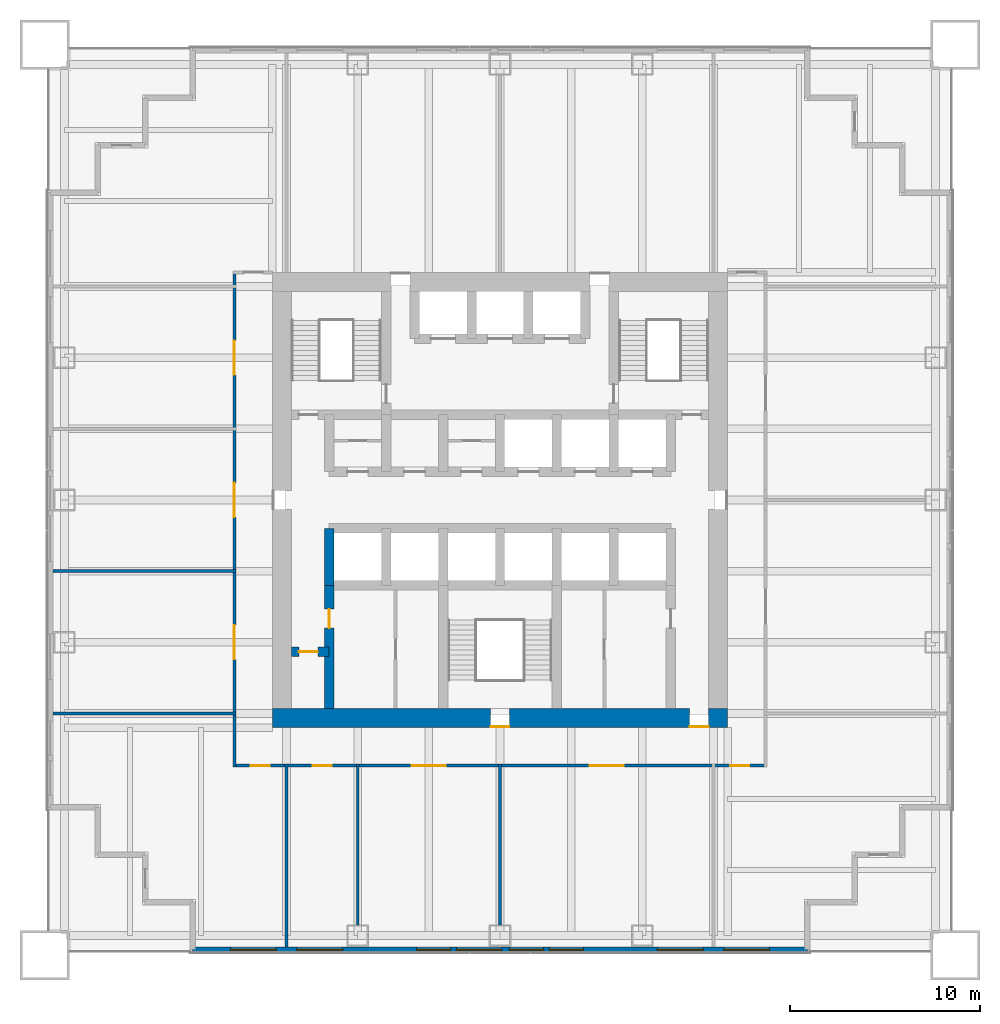
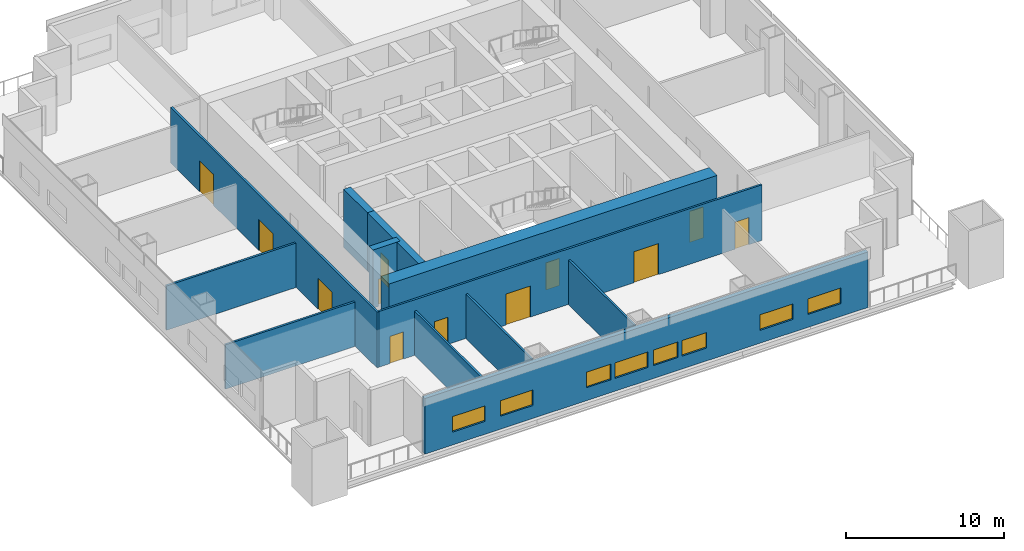
# One storey, part 2 of 7: 12 doors, 12 walls, 8 windows, 20 openings.
"""IFC4 building model written with IfcOpenShell, lengths in metres."""

from ifc_helpers import new_model, si_unit, direction, frame, frame_2d, origin, place, context, subcontext, project, spatial, rectangle, extrude, material, layer, layer_set, type_object, element, fill, save


model = new_model("IFC4")

# Units and contexts
model_context = context("Model", 3, precision=1e-05, world=origin(), true_north=direction((0.0, 1.0)))
body_context = subcontext(model_context, "Body", "Model", "MODEL_VIEW")
ifc_project = project(units=[si_unit("LENGTHUNIT", "METRE"), si_unit("AREAUNIT", "SQUARE_METRE"), si_unit("VOLUMEUNIT", "CUBIC_METRE"), si_unit("PLANEANGLEUNIT", "RADIAN"), si_unit("MASSUNIT", "GRAM", prefix="KILO")], contexts=[model_context])

# Site, building, storey
site_placement = place(None, origin())
site = spatial("IfcSite", under=ifc_project, at=site_placement, CompositionType="ELEMENT")
building_placement = place(site_placement, origin())
building = spatial("IfcBuilding", under=site, at=building_placement, Name="Tarangal Relay Tower", CompositionType="ELEMENT")
storey_placement = place(building_placement, frame((0.0, 0.0, 149.39990234375)))
storey = spatial("IfcBuildingStorey", under=building, at=storey_placement, Name="L30", CompositionType="ELEMENT", Elevation=149.39990234375)

# Wall, opening, door
ifc_material_1 = material(Name="Concrete fc' 60 MPa", Category="concrete")
ifc_layer_1 = layer(ifc_material_1, 0.5)
ifc_layer_set_1 = layer_set([ifc_layer_1], Name="Core inner wall 500")
wall_type_1 = type_object("IfcWallType", Name="Core inner wall 500", PredefinedType="SHEAR", material=ifc_layer_set_1)
wall_1_placement = place(storey_placement, frame((-11.0, -8.0, 0.0), z_axis=(0.0, 0.0, 1.0), x_axis=(1.0, 0.0, 0.0)))
wall_1 = element("IfcWall", 1, at=wall_1_placement, inside=storey, type_object=wall_type_1, Name="Core wall YM8 L30", PredefinedType="SHEAR", context=body_context, shape_type="SweptSolid", body=[
    extrude(rectangle(XDim=2.0, YDim=0.5, at=frame_2d((1.0, 0.0))), origin(), (0.0, 0.0, 1.0), 4.5),
])
opening_1_placement = place(wall_1_placement, frame((0.39990234375, 0.0, 0.0)))
opening_1 = element("IfcOpeningElement", 2, at=opening_1_placement, cuts=wall_1, Name="Opening D1", PredefinedType="OPENING", context=body_context, shape_type="SweptSolid", body=[
    extrude(rectangle(XDim=1.0, YDim=2.10009765625, at=frame_2d((0.5, 1.050048828125))), frame((0.0, 0.260009765625, 0.0), z_axis=(0.0, -1.0, 0.0), x_axis=(1.0, 0.0, 0.0)), (0.0, 0.0, 1.0), 0.52001953125),
])
ifc_material_2 = material(Name="Hardwood door", Category="wood")
door_type_1 = type_object("IfcDoorType", Name="WC door 1000 x 2100", OperationType="SINGLE_SWING_LEFT", PredefinedType="DOOR", material=ifc_material_2)
door_1_placement = place(opening_1_placement, origin())
door_1 = element("IfcDoor", 3, at=door_1_placement, inside=storey, type_object=door_type_1, Name="Accessible WC door L30", OperationType="SINGLE_SWING_LEFT", OverallHeight=2.10009765625, OverallWidth=1.0, PredefinedType="DOOR", context=body_context, shape_type="SweptSolid", body=[
    extrude(rectangle(XDim=1.0, YDim=2.10009765625, at=frame_2d((0.5, 1.050048828125))), frame((0.0, 0.02490234375, 0.0), z_axis=(0.0, -1.0, 0.0), x_axis=(1.0, 0.0, 0.0)), (0.0, 0.0, 1.0), 0.050048828125),
])
fill(opening_1, door_1)

# Wall
wall_2_placement = place(storey_placement, frame((-9.0, -4.5, 0.0), z_axis=(0.0, 0.0, 1.0), x_axis=(0.0, 1.0, 0.0)))
element("IfcWall", 4, at=wall_2_placement, inside=storey, type_object=wall_type_1, Name="Core wall XM9S L30", PredefinedType="SHEAR", context=body_context, shape_type="SweptSolid", body=[
    extrude(rectangle(XDim=3.0, YDim=0.5, at=frame_2d((1.5, 0.0))), origin(), (0.0, 0.0, 1.0), 4.5),
])

# Wall, opening, door
wall_3_placement = place(storey_placement, frame((-9.0, -11.0, 0.0), z_axis=(0.0, 0.0, 1.0), x_axis=(0.0, 1.0, 0.0)))
wall_3 = element("IfcWall", 5, at=wall_3_placement, inside=storey, type_object=wall_type_1, Name="Core wall XM9W L30", PredefinedType="SHEAR", context=body_context, shape_type="SweptSolid", body=[
    extrude(rectangle(XDim=6.5, YDim=0.5, at=frame_2d((3.25, 0.0))), origin(), (0.0, 0.0, 1.0), 4.5),
])
opening_2_placement = place(wall_3_placement, frame((4.25, 0.0, 0.0)))
opening_2 = element("IfcOpeningElement", 6, at=opening_2_placement, cuts=wall_3, Name="Opening D1", PredefinedType="OPENING", context=body_context, shape_type="SweptSolid", body=[
    extrude(rectangle(XDim=1.0, YDim=2.10009765625, at=frame_2d((0.5, 1.050048828125))), frame((0.0, 0.260009765625, 0.0), z_axis=(0.0, -1.0, 0.0), x_axis=(1.0, 0.0, 0.0)), (0.0, 0.0, 1.0), 0.52001953125),
])
door_2_placement = place(opening_2_placement, origin())
door_2 = element("IfcDoor", 7, at=door_2_placement, inside=storey, type_object=door_type_1, Name="Male WC door L30", OperationType="SINGLE_SWING_LEFT", OverallHeight=2.10009765625, OverallWidth=1.0, PredefinedType="DOOR", context=body_context, shape_type="SweptSolid", body=[
    extrude(rectangle(XDim=1.0, YDim=2.10009765625, at=frame_2d((0.5, 1.050048828125))), frame((0.0, 0.02490234375, 0.0), z_axis=(0.0, -1.0, 0.0), x_axis=(1.0, 0.0, 0.0)), (0.0, 0.0, 1.0), 0.050048828125),
])
fill(opening_2, door_2)

# Wall, openings, doors
ifc_layer_2 = layer(ifc_material_1, 1.0)
ifc_layer_set_2 = layer_set([ifc_layer_2], Name="Core wall 1000")
wall_type_2 = type_object("IfcWallType", Name="Core wall 1000", PredefinedType="SHEAR", material=ifc_layer_set_2)
wall_4_placement = place(storey_placement, frame((12.0, -11.5, 0.0), z_axis=(0.0, 0.0, 1.0), x_axis=(-1.0, 0.0, 0.0)))
wall_4 = element("IfcWall", 8, at=wall_4_placement, inside=storey, type_object=wall_type_2, Name="Core wall S L30", PredefinedType="SHEAR", context=body_context, shape_type="SweptSolid", body=[
    extrude(rectangle(XDim=24.0, YDim=1.0, at=frame_2d((12.0, 0.0))), origin(), (0.0, 0.0, 1.0), 4.5),
])
opening_3_placement = place(wall_4_placement, frame((11.5, 0.0, 0.0)))
opening_3 = element("IfcOpeningElement", 9, at=opening_3_placement, cuts=wall_4, Name="Opening FD1", PredefinedType="OPENING", context=body_context, shape_type="SweptSolid", body=[
    extrude(rectangle(XDim=1.0, YDim=2.10009765625, at=frame_2d((0.5, 1.050048828125))), frame((0.0, 0.510009765625, 0.0), z_axis=(0.0, -1.0, 0.0), x_axis=(1.0, 0.0, 0.0)), (0.0, 0.0, 1.0), 1.02001953125),
])
opening_4_placement = place(wall_4_placement, frame((1.0, 0.0, 0.0)))
opening_4 = element("IfcOpeningElement", 10, at=opening_4_placement, cuts=wall_4, Name="Opening FD3", PredefinedType="OPENING", context=body_context, shape_type="SweptSolid", body=[
    extrude(rectangle(XDim=1.0, YDim=2.39990234375, at=frame_2d((0.5, 1.199951171875))), frame((0.0, 0.510009765625, 0.0), z_axis=(0.0, -1.0, 0.0), x_axis=(1.0, 0.0, 0.0)), (0.0, 0.0, 1.0), 1.02001953125),
])
ifc_material_3 = material(Name="Steel door with hardwood frame", Category="steel")
door_type_2 = type_object("IfcDoorType", Name="Fire door 1000 x 2100", OperationType="SINGLE_SWING_LEFT", PredefinedType="DOOR", material=ifc_material_3)
door_3_placement = place(opening_3_placement, origin())
door_3 = element("IfcDoor", 11, at=door_3_placement, inside=storey, type_object=door_type_2, Name="Stair ST-C door L30", OperationType="SINGLE_SWING_LEFT", OverallHeight=2.10009765625, OverallWidth=1.0, PredefinedType="DOOR", context=body_context, shape_type="SweptSolid", body=[
    extrude(rectangle(XDim=1.0, YDim=2.10009765625, at=frame_2d((0.5, 1.050048828125))), frame((0.0, 0.48486328125, 0.0), z_axis=(0.0, -1.0, 0.0), x_axis=(1.0, 0.0, 0.0)), (0.0, 0.0, 1.0), 0.050048828125),
])
fill(opening_3, door_3)
door_type_3 = type_object("IfcDoorType", Name="Fire door 1000 x 2400 core entry", OperationType="SINGLE_SWING_RIGHT", PredefinedType="DOOR", material=ifc_material_3)
door_4_placement = place(opening_4_placement, origin())
door_4 = element("IfcDoor", 12, at=door_4_placement, inside=storey, type_object=door_type_3, Name="Core entry door south east L30", OperationType="SINGLE_SWING_RIGHT", OverallHeight=2.39990234375, OverallWidth=1.0, PredefinedType="DOOR", context=body_context, shape_type="SweptSolid", body=[
    extrude(rectangle(XDim=1.0, YDim=2.39990234375, at=frame_2d((0.5, 1.199951171875))), frame((0.0, 0.48486328125, 0.0), z_axis=(0.0, -1.0, 0.0), x_axis=(1.0, 0.0, 0.0)), (0.0, 0.0, 1.0), 0.050048828125),
])
fill(opening_4, door_4)

# Wall, openings, windows
ifc_material_4 = material(Name="Insulated precast concrete fc' 40 MPa", Category="concrete")
ifc_layer_3 = layer(ifc_material_4, 0.300048828125)
ifc_layer_set_3 = layer_set([ifc_layer_3], Name="Insulated precast concrete fc' 40 MPa")
wall_type_3 = type_object("IfcWallType", Name="Facade wall precast 300", PredefinedType="SOLIDWALL", material=ifc_layer_set_3)
wall_5_placement = place(storey_placement, frame((16.199951171875, -23.699951171875, 0.0), z_axis=(0.0, 0.0, 1.0), x_axis=(-1.0, 0.0, 0.0)))
wall_5 = element("IfcWall", 13, at=wall_5_placement, inside=storey, type_object=wall_type_3, Name="Facade wall S facade L30", PredefinedType="SOLIDWALL", context=body_context, shape_type="SweptSolid", body=[
    extrude(rectangle(XDim=32.39990234375, YDim=0.300048828125, at=frame_2d((16.199951171875, 0.0))), origin(), (0.0, 0.0, 1.0), 4.300048828125),
])
opening_5_placement = place(wall_5_placement, frame((2.0, 0.0, 1.0)))
opening_5 = element("IfcOpeningElement", 14, at=opening_5_placement, cuts=wall_5, Name="Opening WN1", PredefinedType="OPENING", context=body_context, shape_type="SweptSolid", body=[
    extrude(rectangle(XDim=2.39990234375, YDim=1.199951171875, at=frame_2d((1.199951171875, 0.60009765625))), frame((0.0, 0.159912109375, 0.0), z_axis=(0.0, -1.0, 0.0), x_axis=(1.0, 0.0, 0.0)), (0.0, 0.0, 1.0), 0.320068359375),
])
opening_6_placement = place(wall_5_placement, frame((5.5, 0.0, 1.0)))
opening_6 = element("IfcOpeningElement", 15, at=opening_6_placement, cuts=wall_5, Name="Opening WN1", PredefinedType="OPENING", context=body_context, shape_type="SweptSolid", body=[
    extrude(rectangle(XDim=2.39990234375, YDim=1.199951171875, at=frame_2d((1.199951171875, 0.60009765625))), frame((0.0, 0.159912109375, 0.0), z_axis=(0.0, -1.0, 0.0), x_axis=(1.0, 0.0, 0.0)), (0.0, 0.0, 1.0), 0.320068359375),
])
opening_7_placement = place(wall_5_placement, frame((11.800048828125, 0.0, 1.0)))
opening_7 = element("IfcOpeningElement", 16, at=opening_7_placement, cuts=wall_5, Name="Opening WN5", PredefinedType="OPENING", context=body_context, shape_type="SweptSolid", body=[
    extrude(rectangle(XDim=1.800048828125, YDim=1.199951171875, at=frame_2d((0.89990234375, 0.60009765625))), frame((0.0, 0.159912109375, 0.0), z_axis=(0.0, -1.0, 0.0), x_axis=(1.0, 0.0, 0.0)), (0.0, 0.0, 1.0), 0.320068359375),
])
opening_8_placement = place(wall_5_placement, frame((13.89990234375, 0.0, 1.0)))
opening_8 = element("IfcOpeningElement", 17, at=opening_8_placement, cuts=wall_5, Name="Opening WN5", PredefinedType="OPENING", context=body_context, shape_type="SweptSolid", body=[
    extrude(rectangle(XDim=1.800048828125, YDim=1.199951171875, at=frame_2d((0.89990234375, 0.60009765625))), frame((0.0, 0.159912109375, 0.0), z_axis=(0.0, -1.0, 0.0), x_axis=(1.0, 0.0, 0.0)), (0.0, 0.0, 1.0), 0.320068359375),
])
opening_9_placement = place(wall_5_placement, frame((16.10009765625, 0.0, 1.0)))
opening_9 = element("IfcOpeningElement", 18, at=opening_9_placement, cuts=wall_5, Name="Opening WN1", PredefinedType="OPENING", context=body_context, shape_type="SweptSolid", body=[
    extrude(rectangle(XDim=2.39990234375, YDim=1.199951171875, at=frame_2d((1.199951171875, 0.60009765625))), frame((0.0, 0.159912109375, 0.0), z_axis=(0.0, -1.0, 0.0), x_axis=(1.0, 0.0, 0.0)), (0.0, 0.0, 1.0), 0.320068359375),
])
opening_10_placement = place(wall_5_placement, frame((18.800048828125, 0.0, 1.0)))
opening_10 = element("IfcOpeningElement", 19, at=opening_10_placement, cuts=wall_5, Name="Opening WN5", PredefinedType="OPENING", context=body_context, shape_type="SweptSolid", body=[
    extrude(rectangle(XDim=1.800048828125, YDim=1.199951171875, at=frame_2d((0.89990234375, 0.60009765625))), frame((0.0, 0.159912109375, 0.0), z_axis=(0.0, -1.0, 0.0), x_axis=(1.0, 0.0, 0.0)), (0.0, 0.0, 1.0), 0.320068359375),
])
opening_11_placement = place(wall_5_placement, frame((24.5, 0.0, 1.0)))
opening_11 = element("IfcOpeningElement", 20, at=opening_11_placement, cuts=wall_5, Name="Opening WN1", PredefinedType="OPENING", context=body_context, shape_type="SweptSolid", body=[
    extrude(rectangle(XDim=2.39990234375, YDim=1.199951171875, at=frame_2d((1.199951171875, 0.60009765625))), frame((0.0, 0.159912109375, 0.0), z_axis=(0.0, -1.0, 0.0), x_axis=(1.0, 0.0, 0.0)), (0.0, 0.0, 1.0), 0.320068359375),
])
opening_12_placement = place(wall_5_placement, frame((28.0, 0.0, 1.0)))
opening_12 = element("IfcOpeningElement", 21, at=opening_12_placement, cuts=wall_5, Name="Opening WN1", PredefinedType="OPENING", context=body_context, shape_type="SweptSolid", body=[
    extrude(rectangle(XDim=2.39990234375, YDim=1.199951171875, at=frame_2d((1.199951171875, 0.60009765625))), frame((0.0, 0.159912109375, 0.0), z_axis=(0.0, -1.0, 0.0), x_axis=(1.0, 0.0, 0.0)), (0.0, 0.0, 1.0), 0.320068359375),
])
ifc_material_5 = material(Name="Dark tinted double glazing in black aluminium frame", Category="aluminium")
window_type_1 = type_object("IfcWindowType", Name="Ribbon window 1800 x 1200", PartitioningType="SINGLE_PANEL", PredefinedType="WINDOW", material=ifc_material_5)
window_1_placement = place(opening_7_placement, origin())
window_1 = element("IfcWindow", 22, at=window_1_placement, inside=storey, type_object=window_type_1, Name="Ribbon window WN5 S facade L30", OverallHeight=1.199951171875, OverallWidth=1.800048828125, PartitioningType="SINGLE_PANEL", PredefinedType="WINDOW", context=body_context, shape_type="SweptSolid", body=[
    extrude(rectangle(XDim=1.800048828125, YDim=1.199951171875, at=frame_2d((0.89990234375, 0.60009765625))), frame((0.0, 0.030029296875, 0.0), z_axis=(0.0, -1.0, 0.0), x_axis=(1.0, 0.0, 0.0)), (0.0, 0.0, 1.0), 0.06005859375),
])
fill(opening_7, window_1)
window_2_placement = place(opening_8_placement, origin())
window_2 = element("IfcWindow", 23, at=window_2_placement, inside=storey, type_object=window_type_1, Name="Ribbon window WN5 S facade L30", OverallHeight=1.199951171875, OverallWidth=1.800048828125, PartitioningType="SINGLE_PANEL", PredefinedType="WINDOW", context=body_context, shape_type="SweptSolid", body=[
    extrude(rectangle(XDim=1.800048828125, YDim=1.199951171875, at=frame_2d((0.89990234375, 0.60009765625))), frame((0.0, 0.030029296875, 0.0), z_axis=(0.0, -1.0, 0.0), x_axis=(1.0, 0.0, 0.0)), (0.0, 0.0, 1.0), 0.06005859375),
])
fill(opening_8, window_2)
window_3_placement = place(opening_10_placement, origin())
window_3 = element("IfcWindow", 24, at=window_3_placement, inside=storey, type_object=window_type_1, Name="Ribbon window WN5 S facade L30", OverallHeight=1.199951171875, OverallWidth=1.800048828125, PartitioningType="SINGLE_PANEL", PredefinedType="WINDOW", context=body_context, shape_type="SweptSolid", body=[
    extrude(rectangle(XDim=1.800048828125, YDim=1.199951171875, at=frame_2d((0.89990234375, 0.60009765625))), frame((0.0, 0.030029296875, 0.0), z_axis=(0.0, -1.0, 0.0), x_axis=(1.0, 0.0, 0.0)), (0.0, 0.0, 1.0), 0.06005859375),
])
fill(opening_10, window_3)
window_type_2 = type_object("IfcWindowType", Name="Ribbon window 2400 x 1200", PartitioningType="SINGLE_PANEL", PredefinedType="WINDOW", material=ifc_material_5)
window_4_placement = place(opening_5_placement, origin())
window_4 = element("IfcWindow", 25, at=window_4_placement, inside=storey, type_object=window_type_2, Name="Ribbon window WN1 S facade L30", OverallHeight=1.199951171875, OverallWidth=2.39990234375, PartitioningType="SINGLE_PANEL", PredefinedType="WINDOW", context=body_context, shape_type="SweptSolid", body=[
    extrude(rectangle(XDim=2.39990234375, YDim=1.199951171875, at=frame_2d((1.199951171875, 0.60009765625))), frame((0.0, 0.030029296875, 0.0), z_axis=(0.0, -1.0, 0.0), x_axis=(1.0, 0.0, 0.0)), (0.0, 0.0, 1.0), 0.06005859375),
])
fill(opening_5, window_4)
window_5_placement = place(opening_6_placement, origin())
window_5 = element("IfcWindow", 26, at=window_5_placement, inside=storey, type_object=window_type_2, Name="Ribbon window WN1 S facade L30", OverallHeight=1.199951171875, OverallWidth=2.39990234375, PartitioningType="SINGLE_PANEL", PredefinedType="WINDOW", context=body_context, shape_type="SweptSolid", body=[
    extrude(rectangle(XDim=2.39990234375, YDim=1.199951171875, at=frame_2d((1.199951171875, 0.60009765625))), frame((0.0, 0.030029296875, 0.0), z_axis=(0.0, -1.0, 0.0), x_axis=(1.0, 0.0, 0.0)), (0.0, 0.0, 1.0), 0.06005859375),
])
fill(opening_6, window_5)
window_6_placement = place(opening_9_placement, origin())
window_6 = element("IfcWindow", 27, at=window_6_placement, inside=storey, type_object=window_type_2, Name="Ribbon window WN1 S facade L30", OverallHeight=1.199951171875, OverallWidth=2.39990234375, PartitioningType="SINGLE_PANEL", PredefinedType="WINDOW", context=body_context, shape_type="SweptSolid", body=[
    extrude(rectangle(XDim=2.39990234375, YDim=1.199951171875, at=frame_2d((1.199951171875, 0.60009765625))), frame((0.0, 0.030029296875, 0.0), z_axis=(0.0, -1.0, 0.0), x_axis=(1.0, 0.0, 0.0)), (0.0, 0.0, 1.0), 0.06005859375),
])
fill(opening_9, window_6)
window_7_placement = place(opening_11_placement, origin())
window_7 = element("IfcWindow", 28, at=window_7_placement, inside=storey, type_object=window_type_2, Name="Ribbon window WN1 S facade L30", OverallHeight=1.199951171875, OverallWidth=2.39990234375, PartitioningType="SINGLE_PANEL", PredefinedType="WINDOW", context=body_context, shape_type="SweptSolid", body=[
    extrude(rectangle(XDim=2.39990234375, YDim=1.199951171875, at=frame_2d((1.199951171875, 0.60009765625))), frame((0.0, 0.030029296875, 0.0), z_axis=(0.0, -1.0, 0.0), x_axis=(1.0, 0.0, 0.0)), (0.0, 0.0, 1.0), 0.06005859375),
])
fill(opening_11, window_7)
window_8_placement = place(opening_12_placement, origin())
window_8 = element("IfcWindow", 29, at=window_8_placement, inside=storey, type_object=window_type_2, Name="Ribbon window WN1 S facade L30", OverallHeight=1.199951171875, OverallWidth=2.39990234375, PartitioningType="SINGLE_PANEL", PredefinedType="WINDOW", context=body_context, shape_type="SweptSolid", body=[
    extrude(rectangle(XDim=2.39990234375, YDim=1.199951171875, at=frame_2d((1.199951171875, 0.60009765625))), frame((0.0, 0.030029296875, 0.0), z_axis=(0.0, -1.0, 0.0), x_axis=(1.0, 0.0, 0.0)), (0.0, 0.0, 1.0), 0.06005859375),
])
fill(opening_12, window_8)

# Wall, openings, doors
ifc_material_6 = material(Name="Gypsum board on steel studs", Category="steel")
ifc_layer_4 = layer(ifc_material_6, 0.14990234375)
ifc_layer_set_4 = layer_set([ifc_layer_4], Name="Partition 150")
wall_type_4 = type_object("IfcWallType", Name="Partition 150", PredefinedType="PARTITIONING", material=ifc_layer_set_4)
wall_6_placement = place(storey_placement, frame((-14.074951171875, -14.0, 0.0), z_axis=(0.0, 0.0, 1.0), x_axis=(1.0, 0.0, 0.0)))
wall_6 = element("IfcWall", 30, at=wall_6_placement, inside=storey, type_object=wall_type_4, Name="Partition PT1 L30", PredefinedType="PARTITIONING", context=body_context, shape_type="SweptSolid", body=[
    extrude(rectangle(XDim=28.14990234375, YDim=0.14990234375, at=frame_2d((14.074951171875, 0.0))), origin(), (0.0, 0.0, 1.0), 4.300048828125),
])
opening_13_placement = place(wall_6_placement, frame((18.800048828125, 0.0, 0.0)))
opening_13 = element("IfcOpeningElement", 31, at=opening_13_placement, cuts=wall_6, Name="Opening DD1", PredefinedType="OPENING", context=body_context, shape_type="SweptSolid", body=[
    extrude(rectangle(XDim=1.800048828125, YDim=2.39990234375, at=frame_2d((0.89990234375, 1.199951171875))), frame((0.0, 0.0849609375, 0.0), z_axis=(0.0, -1.0, 0.0), x_axis=(1.0, 0.0, 0.0)), (0.0, 0.0, 1.0), 0.169921875),
])
opening_14_placement = place(wall_6_placement, frame((9.425048828125, 0.0, 0.0)))
opening_14 = element("IfcOpeningElement", 32, at=opening_14_placement, cuts=wall_6, Name="Opening DD1", PredefinedType="OPENING", context=body_context, shape_type="SweptSolid", body=[
    extrude(rectangle(XDim=1.800048828125, YDim=2.39990234375, at=frame_2d((0.89990234375, 1.199951171875))), frame((0.0, 0.0849609375, 0.0), z_axis=(0.0, -1.0, 0.0), x_axis=(1.0, 0.0, 0.0)), (0.0, 0.0, 1.0), 0.169921875),
])
opening_15_placement = place(wall_6_placement, frame((4.199951171875, 0.0, 0.0)))
opening_15 = element("IfcOpeningElement", 33, at=opening_15_placement, cuts=wall_6, Name="Opening D2", PredefinedType="OPENING", context=body_context, shape_type="SweptSolid", body=[
    extrude(rectangle(XDim=1.0, YDim=2.10009765625, at=frame_2d((0.5, 1.050048828125))), frame((0.0, 0.0849609375, 0.0), z_axis=(0.0, -1.0, 0.0), x_axis=(1.0, 0.0, 0.0)), (0.0, 0.0, 1.0), 0.169921875),
])
opening_16_placement = place(wall_6_placement, frame((26.199951171875, 0.0, 0.0)))
opening_16 = element("IfcOpeningElement", 34, at=opening_16_placement, cuts=wall_6, Name="Opening D2", PredefinedType="OPENING", context=body_context, shape_type="SweptSolid", body=[
    extrude(rectangle(XDim=1.0, YDim=2.10009765625, at=frame_2d((0.5, 1.050048828125))), frame((0.0, 0.0849609375, 0.0), z_axis=(0.0, -1.0, 0.0), x_axis=(1.0, 0.0, 0.0)), (0.0, 0.0, 1.0), 0.169921875),
])
opening_17_placement = place(wall_6_placement, frame((0.949951171875, 0.0, 0.0)))
opening_17 = element("IfcOpeningElement", 35, at=opening_17_placement, cuts=wall_6, Name="Opening D2", PredefinedType="OPENING", context=body_context, shape_type="SweptSolid", body=[
    extrude(rectangle(XDim=1.0, YDim=2.10009765625, at=frame_2d((0.5, 1.050048828125))), frame((0.0, 0.0849609375, 0.0), z_axis=(0.0, -1.0, 0.0), x_axis=(1.0, 0.0, 0.0)), (0.0, 0.0, 1.0), 0.169921875),
])
door_type_4 = type_object("IfcDoorType", Name="Door 1000 x 2100", OperationType="SINGLE_SWING_LEFT", PredefinedType="DOOR", material=ifc_material_2)
door_5_placement = place(opening_15_placement, origin())
door_5 = element("IfcDoor", 36, at=door_5_placement, inside=storey, type_object=door_type_4, Name="Door D2 to spares store L30-08", OperationType="SINGLE_SWING_LEFT", OverallHeight=2.10009765625, OverallWidth=1.0, PredefinedType="DOOR", context=body_context, shape_type="SweptSolid", body=[
    extrude(rectangle(XDim=1.0, YDim=2.10009765625, at=frame_2d((0.5, 1.050048828125))), frame((0.0, 0.02490234375, 0.0), z_axis=(0.0, -1.0, 0.0), x_axis=(1.0, 0.0, 0.0)), (0.0, 0.0, 1.0), 0.050048828125),
])
fill(opening_15, door_5)
door_6_placement = place(opening_16_placement, origin())
door_6 = element("IfcDoor", 37, at=door_6_placement, inside=storey, type_object=door_type_4, Name="Door D2 to test lab L30-13", OperationType="SINGLE_SWING_LEFT", OverallHeight=2.10009765625, OverallWidth=1.0, PredefinedType="DOOR", context=body_context, shape_type="SweptSolid", body=[
    extrude(rectangle(XDim=1.0, YDim=2.10009765625, at=frame_2d((0.5, 1.050048828125))), frame((0.0, 0.02490234375, 0.0), z_axis=(0.0, -1.0, 0.0), x_axis=(1.0, 0.0, 0.0)), (0.0, 0.0, 1.0), 0.050048828125),
])
fill(opening_16, door_6)
door_7_placement = place(opening_17_placement, origin())
door_7 = element("IfcDoor", 38, at=door_7_placement, inside=storey, type_object=door_type_4, Name="Door D2 to engineering office L30-14", OperationType="SINGLE_SWING_LEFT", OverallHeight=2.10009765625, OverallWidth=1.0, PredefinedType="DOOR", context=body_context, shape_type="SweptSolid", body=[
    extrude(rectangle(XDim=1.0, YDim=2.10009765625, at=frame_2d((0.5, 1.050048828125))), frame((0.0, 0.02490234375, 0.0), z_axis=(0.0, -1.0, 0.0), x_axis=(1.0, 0.0, 0.0)), (0.0, 0.0, 1.0), 0.050048828125),
])
fill(opening_17, door_7)
door_type_5 = type_object("IfcDoorType", Name="Equipment double door 1800 x 2400", OperationType="DOUBLE_DOOR_SINGLE_SWING", PredefinedType="DOOR", material=ifc_material_3)
door_8_placement = place(opening_13_placement, origin())
door_8 = element("IfcDoor", 39, at=door_8_placement, inside=storey, type_object=door_type_5, Name="Door DD1 to rectifier and battery room L30-06", OperationType="DOUBLE_DOOR_SINGLE_SWING", OverallHeight=2.39990234375, OverallWidth=1.800048828125, PredefinedType="DOOR", context=body_context, shape_type="SweptSolid", body=[
    extrude(rectangle(XDim=1.800048828125, YDim=2.39990234375, at=frame_2d((0.89990234375, 1.199951171875))), frame((0.0, 0.02490234375, 0.0), z_axis=(0.0, -1.0, 0.0), x_axis=(1.0, 0.0, 0.0)), (0.0, 0.0, 1.0), 0.050048828125),
])
fill(opening_13, door_8)
door_9_placement = place(opening_14_placement, origin())
door_9 = element("IfcDoor", 40, at=door_9_placement, inside=storey, type_object=door_type_5, Name="Door DD1 to electrical room L30-07", OperationType="DOUBLE_DOOR_SINGLE_SWING", OverallHeight=2.39990234375, OverallWidth=1.800048828125, PredefinedType="DOOR", context=body_context, shape_type="SweptSolid", body=[
    extrude(rectangle(XDim=1.800048828125, YDim=2.39990234375, at=frame_2d((0.89990234375, 1.199951171875))), frame((0.0, 0.02490234375, 0.0), z_axis=(0.0, -1.0, 0.0), x_axis=(1.0, 0.0, 0.0)), (0.0, 0.0, 1.0), 0.050048828125),
])
fill(opening_14, door_9)

# Walls
for number, where, z_axis, x_axis, name in (
    (41, (-23.550048828125, -11.25, 0.0), (0.0, 0.0, 1.0), (1.0, 0.0, 0.0), "Partition PT1 L30"),
    (42, (-23.550048828125, -3.75, 0.0), (0.0, 0.0, 1.0), (1.0, 0.0, 0.0), "Partition PT1 L30"),
):
    element("IfcWall", number, at=place(storey_placement, frame(where, z_axis=z_axis, x_axis=x_axis)), inside=storey, type_object=wall_type_4, Name=name, PredefinedType="PARTITIONING", context=body_context, shape_type="SweptSolid", body=[
        extrude(rectangle(XDim=9.625, YDim=0.14990234375, at=frame_2d((4.8125, 0.0))), origin(), (0.0, 0.0, 1.0), 3.431396484375),
    ])

# Wall, openings, doors
wall_7_placement = place(storey_placement, frame((-14.0, -14.074951171875, 0.0), z_axis=(0.0, 0.0, 1.0), x_axis=(0.0, 1.0, 0.0)))
wall_7 = element("IfcWall", 43, at=wall_7_placement, inside=storey, type_object=wall_type_4, Name="Partition PT1 L30", PredefinedType="PARTITIONING", context=body_context, shape_type="SweptSolid", body=[
    extrude(rectangle(XDim=26.14990234375, YDim=0.14990234375, at=frame_2d((13.074951171875, 0.0))), origin(), (0.0, 0.0, 1.0), 4.300048828125),
])
opening_18_placement = place(wall_7_placement, frame((5.675048828125, 0.0, 0.0)))
opening_18 = element("IfcOpeningElement", 44, at=opening_18_placement, cuts=wall_7, Name="Opening DD1", PredefinedType="OPENING", context=body_context, shape_type="SweptSolid", body=[
    extrude(rectangle(XDim=1.800048828125, YDim=2.39990234375, at=frame_2d((0.89990234375, 1.199951171875))), frame((0.0, 0.0849609375, 0.0), z_axis=(0.0, -1.0, 0.0), x_axis=(1.0, 0.0, 0.0)), (0.0, 0.0, 1.0), 0.169921875),
])
opening_19_placement = place(wall_7_placement, frame((13.175048828125, 0.0, 0.0)))
opening_19 = element("IfcOpeningElement", 45, at=opening_19_placement, cuts=wall_7, Name="Opening DD1", PredefinedType="OPENING", context=body_context, shape_type="SweptSolid", body=[
    extrude(rectangle(XDim=1.800048828125, YDim=2.39990234375, at=frame_2d((0.89990234375, 1.199951171875))), frame((0.0, 0.0849609375, 0.0), z_axis=(0.0, -1.0, 0.0), x_axis=(1.0, 0.0, 0.0)), (0.0, 0.0, 1.0), 0.169921875),
])
opening_20_placement = place(wall_7_placement, frame((20.675048828125, 0.0, 0.0)))
opening_20 = element("IfcOpeningElement", 46, at=opening_20_placement, cuts=wall_7, Name="Opening DD1", PredefinedType="OPENING", context=body_context, shape_type="SweptSolid", body=[
    extrude(rectangle(XDim=1.800048828125, YDim=2.39990234375, at=frame_2d((0.89990234375, 1.199951171875))), frame((0.0, 0.0849609375, 0.0), z_axis=(0.0, -1.0, 0.0), x_axis=(1.0, 0.0, 0.0)), (0.0, 0.0, 1.0), 0.169921875),
])
door_10_placement = place(opening_18_placement, origin())
door_10 = element("IfcDoor", 47, at=door_10_placement, inside=storey, type_object=door_type_5, Name="Door DD1 to telecom equipment room L30-09", OperationType="DOUBLE_DOOR_SINGLE_SWING", OverallHeight=2.39990234375, OverallWidth=1.800048828125, PredefinedType="DOOR", context=body_context, shape_type="SweptSolid", body=[
    extrude(rectangle(XDim=1.800048828125, YDim=2.39990234375, at=frame_2d((0.89990234375, 1.199951171875))), frame((0.0, 0.02490234375, 0.0), z_axis=(0.0, -1.0, 0.0), x_axis=(1.0, 0.0, 0.0)), (0.0, 0.0, 1.0), 0.050048828125),
])
fill(opening_18, door_10)
door_11_placement = place(opening_19_placement, origin())
door_11 = element("IfcDoor", 48, at=door_11_placement, inside=storey, type_object=door_type_5, Name="Door DD1 to telecom equipment room L30-10", OperationType="DOUBLE_DOOR_SINGLE_SWING", OverallHeight=2.39990234375, OverallWidth=1.800048828125, PredefinedType="DOOR", context=body_context, shape_type="SweptSolid", body=[
    extrude(rectangle(XDim=1.800048828125, YDim=2.39990234375, at=frame_2d((0.89990234375, 1.199951171875))), frame((0.0, 0.02490234375, 0.0), z_axis=(0.0, -1.0, 0.0), x_axis=(1.0, 0.0, 0.0)), (0.0, 0.0, 1.0), 0.050048828125),
])
fill(opening_19, door_11)
door_12_placement = place(opening_20_placement, origin())
door_12 = element("IfcDoor", 49, at=door_12_placement, inside=storey, type_object=door_type_5, Name="Door DD1 to fibre distribution room L30-11", OperationType="DOUBLE_DOOR_SINGLE_SWING", OverallHeight=2.39990234375, OverallWidth=1.800048828125, PredefinedType="DOOR", context=body_context, shape_type="SweptSolid", body=[
    extrude(rectangle(XDim=1.800048828125, YDim=2.39990234375, at=frame_2d((0.89990234375, 1.199951171875))), frame((0.0, 0.02490234375, 0.0), z_axis=(0.0, -1.0, 0.0), x_axis=(1.0, 0.0, 0.0)), (0.0, 0.0, 1.0), 0.050048828125),
])
fill(opening_20, door_12)

# Walls
wall_8_placement = place(storey_placement, frame((-11.25, -23.550048828125, 0.0), z_axis=(0.0, 0.0, 1.0), x_axis=(0.0, 1.0, 0.0)))
element("IfcWall", 50, at=wall_8_placement, inside=storey, type_object=wall_type_4, Name="Partition PT1 L30", PredefinedType="PARTITIONING", context=body_context, shape_type="SweptSolid", body=[
    extrude(rectangle(XDim=9.625, YDim=0.14990234375, at=frame_2d((4.8125, 0.0))), origin(), (0.0, 0.0, 1.0), 3.431396484375),
])
for number, where, z_axis, x_axis, name in (
    (51, (-7.5, -22.389892578125, 0.0), (0.0, 0.0, 1.0), (0.0, 1.0, 0.0), "Partition PT1 L30"),
    (52, (0.0, -22.389892578125, 0.0), (0.0, 0.0, 1.0), (0.0, 1.0, 0.0), "Partition PT1 L30"),
):
    element("IfcWall", number, at=place(storey_placement, frame(where, z_axis=z_axis, x_axis=x_axis)), inside=storey, type_object=wall_type_4, Name=name, PredefinedType="PARTITIONING", context=body_context, shape_type="SweptSolid", body=[
        extrude(rectangle(XDim=8.46484375, YDim=0.14990234375, at=frame_2d((4.232421875, 0.0))), origin(), (0.0, 0.0, 1.0), 3.431396484375),
    ])

save(model, "model.ifc")
